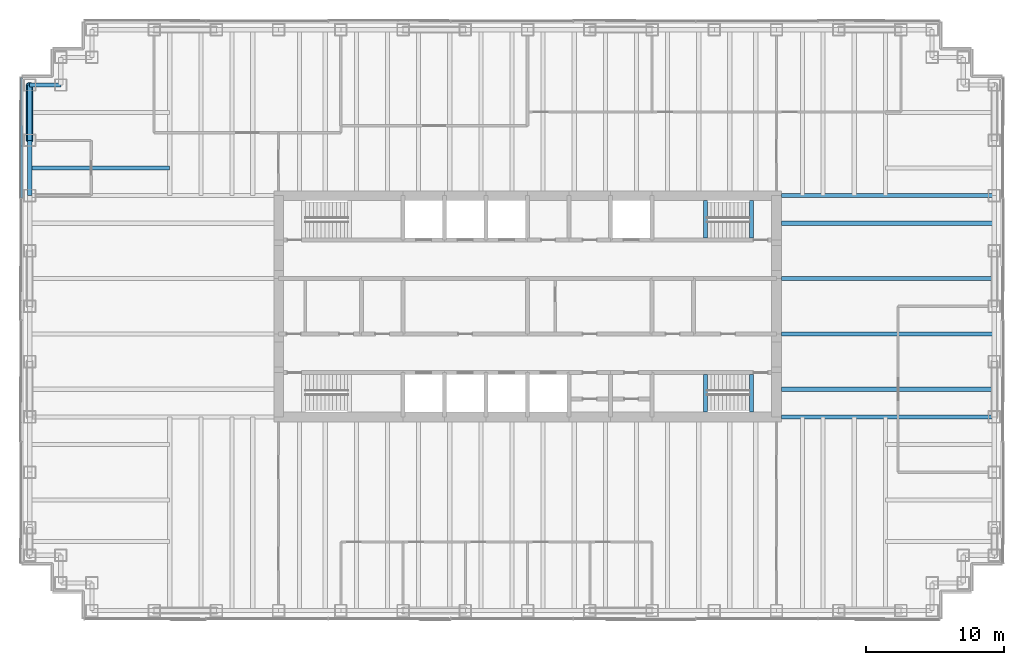
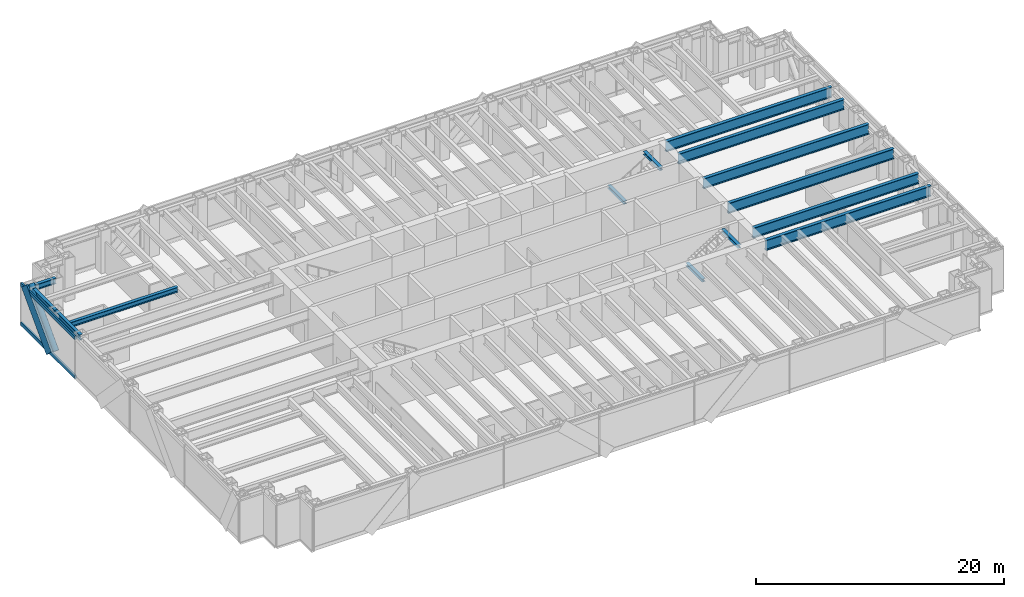
# One storey, part 5 of 15: 14 beams, 4 members, 1 element without a shape of its own.
"""IFC4 building model written with IfcOpenShell, lengths in metres."""

from ifc_helpers import new_model, si_unit, direction, frame, origin, origin_2d, place, context, subcontext, project, spatial, rectangle, hollow_circle, i_section, extrude, material, material_profile, profile_set, type_object, element, aggregate, save


model = new_model("IFC4")

# Units and contexts
model_context = context("Model", 3, precision=1e-05, world=origin(), true_north=direction((0.0, 1.0)))
body_context = subcontext(model_context, "Body", "Model", "MODEL_VIEW")
ifc_project = project(units=[si_unit("LENGTHUNIT", "METRE"), si_unit("AREAUNIT", "SQUARE_METRE"), si_unit("VOLUMEUNIT", "CUBIC_METRE"), si_unit("PLANEANGLEUNIT", "RADIAN"), si_unit("MASSUNIT", "GRAM", prefix="KILO")], contexts=[model_context])

# Site, building, storey
site_placement = place(None, origin())
site = spatial("IfcSite", under=ifc_project, at=site_placement, CompositionType="ELEMENT")
building_placement = place(site_placement, origin())
building = spatial("IfcBuilding", under=site, at=building_placement, Name="Rheinbord Bourse Tower", CompositionType="ELEMENT")
storey_placement = place(building_placement, frame((0.0, 0.0, 308.89990234375)))
storey = spatial("IfcBuildingStorey", under=building, at=storey_placement, Name="L70", CompositionType="ELEMENT", Elevation=308.89990234375)

# Curtain wall, members
ifc_material_1 = material(Name="Dark glass and black aluminium", Category="aluminium")
curtain_wall_type = type_object("IfcCurtainWallType", Name="CW3 DARK GLASS CURTAIN WALL", PredefinedType="USERDEFINED", material=ifc_material_1)
curtain_wall_placement = place(storey_placement, origin())
curtain_wall = element("IfcCurtainWall", 1, at=curtain_wall_placement, inside=storey, type_object=curtain_wall_type, Name="Curtain wall CW3 W L70", ObjectType="UNITISED CURTAIN WALL", PredefinedType="USERDEFINED")
ifc_material_2 = material(Name="Black anodised aluminium", Category="aluminium")
ifc_material_profile_1 = material_profile(ifc_material_2, rectangle(XDim=0.14990234375, YDim=1.10791015625, at=origin_2d()), Name="CW3 DIAGONAL MULLION 1108x150")
ifc_profile_set_1 = profile_set([ifc_material_profile_1], Name="Black anodised aluminium")
member_type_1 = type_object("IfcMemberType", Name="CW3 BLACK DIAGONAL MULLION", PredefinedType="USERDEFINED", material=ifc_profile_set_1)
member_1_placement = place(storey_placement, frame((-0.60009765625, 36.0, 0.0), z_axis=(0.0, 0.689638355374, 0.72415394689), x_axis=(-1.0, 0.0, 0.0)))
member_1 = element("IfcMember", 2, at=member_1_placement, type_object=member_type_1, Name="CW3 diagonal mullion b", ObjectType="DIAGONAL MULLION", PredefinedType="USERDEFINED", context=body_context, shape_type="SweptSolid", body=[
    extrude(rectangle(XDim=0.14990234375, YDim=1.10791015625, at=origin_2d()), origin(), (0.0, 0.0, 1.0), 5.800048828125),
])
ifc_material_3 = material(Name="Black anodised aluminium", Category="aluminium")
ifc_material_profile_2 = material_profile(ifc_material_3, rectangle(XDim=0.14990234375, YDim=0.35009765625, at=origin_2d()), Name="CW3 TRANSOM 350x150")
ifc_profile_set_2 = profile_set([ifc_material_profile_2], Name="Black anodised aluminium")
member_type_2 = type_object("IfcMemberType", Name="CW3 BLACK TRANSOM", PredefinedType="USERDEFINED", material=ifc_profile_set_2)
member_2_placement = place(storey_placement, frame((-0.60009765625, 40.534912109375, 0.175048828125), z_axis=(0.0, -1.0, 0.0), x_axis=(1.0, 0.0, 0.0)))
member_2 = element("IfcMember", 3, at=member_2_placement, type_object=member_type_2, Name="CW3 transom 1.1", ObjectType="TRANSOM", PredefinedType="USERDEFINED", context=body_context, shape_type="SweptSolid", body=[
    extrude(rectangle(XDim=0.14990234375, YDim=0.35009765625, at=origin_2d()), origin(), (0.0, 0.0, 1.0), 8.702392578125),
])
member_3_placement = place(storey_placement, frame((-0.60009765625, 40.534912109375, 4.025146484375), z_axis=(0.0, -1.0, 0.0), x_axis=(1.0, 0.0, 0.0)))
member_3 = element("IfcMember", 4, at=member_3_placement, type_object=member_type_2, Name="CW3 transom 1.2", ObjectType="TRANSOM", PredefinedType="USERDEFINED", context=body_context, shape_type="SweptSolid", body=[
    extrude(rectangle(XDim=0.14990234375, YDim=0.35009765625, at=origin_2d()), origin(), (0.0, 0.0, 1.0), 8.702392578125),
])
aggregate(curtain_wall, [member_2, member_3, member_1])

# Beams
ifc_material_4 = material(Name="Steel S460", Category="steel")
ifc_material_profile_3 = material_profile(ifc_material_4, i_section(OverallWidth=0.302001953125, OverallDepth=1.008056640625, WebThickness=0.02099609375, FlangeThickness=0.0400390625, at=origin_2d()), Name="HEM 1000")
ifc_profile_set_3 = profile_set([ifc_material_profile_3], Name="Steel S460")
beam_type_1 = type_object("IfcBeamType", Name="END BEAM HEM 1000", PredefinedType="BEAM", material=ifc_profile_set_3)
for number, where, z_axis, x_axis, name in (
    (5, (54.35009765625, 18.0, 3.5361328125), (1.0, 0.0, 0.0), (0.0, 1.0, 0.0), "End beam east 18 L71"),
    (6, (54.35009765625, 22.0, 3.5361328125), (1.0, 0.0, 0.0), (0.0, 1.0, 0.0), "End beam east 22 L71"),
    (7, (54.35009765625, 26.0, 3.5361328125), (1.0, 0.0, 0.0), (0.0, 1.0, 0.0), "End beam east 26 L71"),
    (8, (54.35009765625, 30.0, 3.5361328125), (1.0, 0.0, 0.0), (0.0, 1.0, 0.0), "End beam east 30 L71"),
):
    element("IfcBeam", number, at=place(storey_placement, frame(where, z_axis=z_axis, x_axis=x_axis)), inside=storey, type_object=beam_type_1, Name=name, PredefinedType="BEAM", context=body_context, shape_type="SweptSolid", body=[
        extrude(i_section(OverallWidth=0.302001953125, OverallDepth=1.008056640625, WebThickness=0.02099609375, FlangeThickness=0.0400390625, at=origin_2d()), origin(), (0.0, 0.0, 1.0), 15.39990234375),
    ])
ifc_material_5 = material(Name="Steel S460", Category="steel")
ifc_material_profile_4 = material_profile(ifc_material_5, i_section(OverallWidth=0.302001953125, OverallDepth=1.008056640625, WebThickness=0.02099609375, FlangeThickness=0.0400390625, at=origin_2d()), Name="HEM 1000")
ifc_profile_set_4 = profile_set([ifc_material_profile_4], Name="Steel S460")
beam_type_2 = type_object("IfcBeamType", Name="GIRDER HEM 1000", PredefinedType="BEAM", material=ifc_profile_set_4)
for number, where, z_axis, x_axis, name in (
    (9, (54.35009765625, 16.0, 3.5361328125), (1.0, 0.0, 0.0), (0.0, 1.0, 0.0), "Girder east 16 L71"),
    (10, (54.35009765625, 32.0, 3.5361328125), (1.0, 0.0, 0.0), (0.0, 1.0, 0.0), "Girder east 32 L71"),
):
    element("IfcBeam", number, at=place(storey_placement, frame(where, z_axis=z_axis, x_axis=x_axis)), inside=storey, type_object=beam_type_2, Name=name, PredefinedType="BEAM", context=body_context, shape_type="SweptSolid", body=[
        extrude(i_section(OverallWidth=0.302001953125, OverallDepth=1.008056640625, WebThickness=0.02099609375, FlangeThickness=0.0400390625, at=origin_2d()), origin(), (0.0, 0.0, 1.0), 15.39990234375),
    ])
ifc_material_6 = material(Name="Steel S460", Category="steel")
ifc_material_profile_5 = material_profile(ifc_material_6, i_section(OverallWidth=0.300048828125, OverallDepth=0.300048828125, WebThickness=0.010986328125, FlangeThickness=0.01904296875, at=origin_2d()), Name="HEB 300")
ifc_profile_set_5 = profile_set([ifc_material_profile_5], Name="Steel S460")
beam_type_3 = type_object("IfcBeamType", Name="LANDING TRIMMER HEB 300", PredefinedType="BEAM", material=ifc_profile_set_5)
for number, where, z_axis, x_axis, name in (
    (11, (48.8701171875, 16.35009765625, 1.75), (0.0, 1.0, 0.0), (-1.0, 0.0, 0.0), "Landing trimmer ST3 L70"),
    (12, (52.199951171875, 16.35009765625, 3.89013671875), (0.0, 1.0, 0.0), (-1.0, 0.0, 0.0), "Well trimmer ST3 under L71"),
    (13, (48.8701171875, 28.949951171875, 1.75), (0.0, 1.0, 0.0), (-1.0, 0.0, 0.0), "Landing trimmer ST4 L70"),
    (14, (52.199951171875, 28.949951171875, 3.89013671875), (0.0, 1.0, 0.0), (-1.0, 0.0, 0.0), "Well trimmer ST4 under L71"),
):
    element("IfcBeam", number, at=place(storey_placement, frame(where, z_axis=z_axis, x_axis=x_axis)), inside=storey, type_object=beam_type_3, Name=name, PredefinedType="BEAM", context=body_context, shape_type="SweptSolid", body=[
        extrude(i_section(OverallWidth=0.300048828125, OverallDepth=0.300048828125, WebThickness=0.010986328125, FlangeThickness=0.01904296875, at=origin_2d()), origin(), (0.0, 0.0, 1.0), 2.699951171875),
    ])

# Member
ifc_material_7 = material(Name="Steel S460", Category="steel")
ifc_material_profile_6 = material_profile(ifc_material_7, hollow_circle(Radius=0.25390625, WallThickness=0.030029296875, at=origin_2d()), Name="CHS 508x30")
ifc_profile_set_6 = profile_set([ifc_material_profile_6], Name="Steel S460")
member_type_3 = type_object("IfcMemberType", Name="MEGABRACE CHS 508x30", PredefinedType="BRACE", material=ifc_profile_set_6)
member_4_placement = place(storey_placement, frame((0.0, 36.0, 0.0), z_axis=(0.0, 0.689638355374, 0.72415394689), x_axis=(-1.0, 0.0, 0.0)))
element("IfcMember", 15, at=member_4_placement, inside=storey, type_object=member_type_3, Name="Megabrace W face line b L70", PredefinedType="BRACE", context=body_context, shape_type="SweptSolid", body=[
    extrude(hollow_circle(Radius=0.25390625, WallThickness=0.030029296875, at=origin_2d()), origin(), (0.0, 0.0, 1.0), 5.800048828125),
])

# Beams
ifc_material_8 = material(Name="Steel S460", Category="steel")
ifc_material_profile_7 = material_profile(ifc_material_8, i_section(OverallWidth=0.300048828125, OverallDepth=0.550048828125, WebThickness=0.014892578125, FlangeThickness=0.029052734375, at=origin_2d()), Name="HEB 550")
ifc_profile_set_7 = profile_set([ifc_material_profile_7], Name="Steel S460")
beam_type_4 = type_object("IfcBeamType", Name="SPANDREL HEB 550", PredefinedType="SPANDREL", material=ifc_profile_set_7)
beam_1_placement = place(storey_placement, frame((2.25, 40.0, 3.76513671875), z_axis=(-1.0, 0.0, 0.0), x_axis=(0.0, -1.0, 0.0)))
element("IfcBeam", 16, at=beam_1_placement, inside=storey, type_object=beam_type_4, Name="Spandrel NW-B-NW-A under L71", PredefinedType="SPANDREL", context=body_context, shape_type="SweptSolid", body=[
    extrude(i_section(OverallWidth=0.300048828125, OverallDepth=0.550048828125, WebThickness=0.014892578125, FlangeThickness=0.029052734375, at=origin_2d()), origin(), (0.0, 0.0, 1.0), 2.25),
])
for number, where, z_axis, x_axis, name in (
    (17, (0.0, 40.0, 3.76513671875), (0.0, -1.0, 0.0), (1.0, 0.0, 0.0), "Spandrel NW-A-W-36 under L71"),
    (18, (0.0, 36.0, 3.76513671875), (0.0, -1.0, 0.0), (1.0, 0.0, 0.0), "Spandrel W-36-W-32 under L71"),
):
    element("IfcBeam", number, at=place(storey_placement, frame(where, z_axis=z_axis, x_axis=x_axis)), inside=storey, type_object=beam_type_4, Name=name, PredefinedType="SPANDREL", context=body_context, shape_type="SweptSolid", body=[
        extrude(i_section(OverallWidth=0.300048828125, OverallDepth=0.550048828125, WebThickness=0.014892578125, FlangeThickness=0.029052734375, at=origin_2d()), origin(), (0.0, 0.0, 1.0), 4.0),
    ])
ifc_material_9 = material(Name="Steel S460", Category="steel")
ifc_material_profile_8 = material_profile(ifc_material_9, i_section(OverallWidth=0.300048828125, OverallDepth=0.5, WebThickness=0.014404296875, FlangeThickness=0.028076171875, at=origin_2d()), Name="HEB 500")
ifc_profile_set_8 = profile_set([ifc_material_profile_8], Name="Steel S460")
beam_type_5 = type_object("IfcBeamType", Name="TIE BEAM HEB 500", PredefinedType="JOIST", material=ifc_profile_set_8)
beam_2_placement = place(storey_placement, frame((0.0, 34.0, 3.7900390625), z_axis=(1.0, 0.0, 0.0), x_axis=(0.0, 1.0, 0.0)))
element("IfcBeam", 19, at=beam_2_placement, inside=storey, type_object=beam_type_5, Name="Tie west 34 L71", PredefinedType="JOIST", context=body_context, shape_type="SweptSolid", body=[
    extrude(i_section(OverallWidth=0.300048828125, OverallDepth=0.5, WebThickness=0.014404296875, FlangeThickness=0.028076171875, at=origin_2d()), origin(), (0.0, 0.0, 1.0), 10.125),
])

save(model, "model.ifc")
